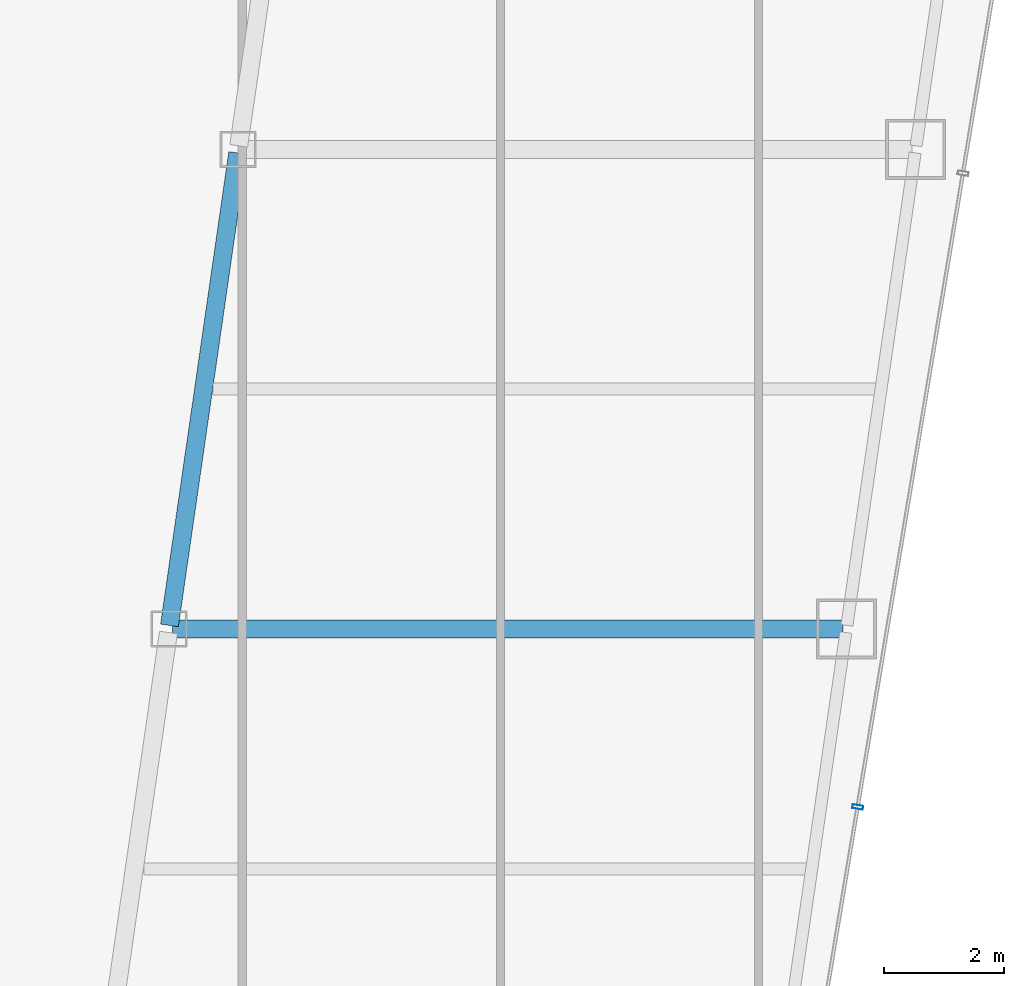
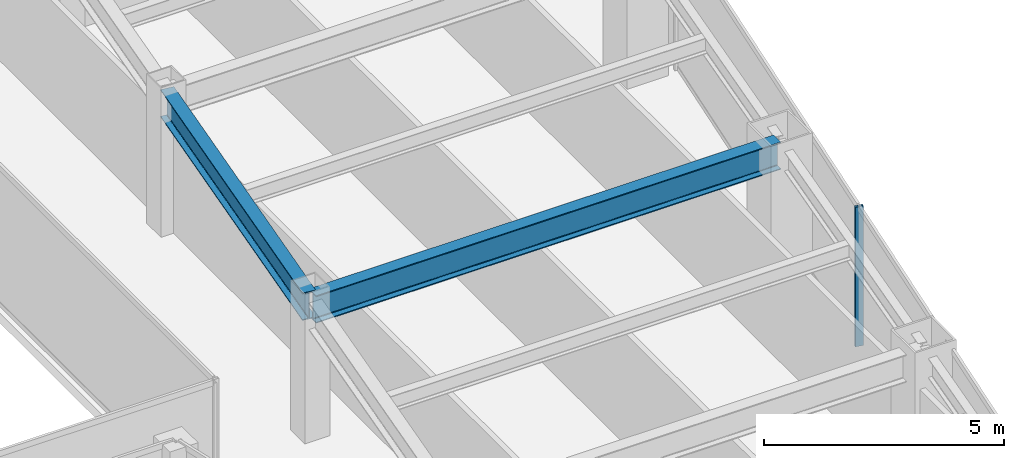
# One storey, part 16 of 37: 2 beams, 1 member, 1 element without a shape of its own.
"""IFC4 building model written with IfcOpenShell, lengths in metres."""

from ifc_helpers import new_model, si_unit, direction, frame, origin, origin_2d, place, context, subcontext, project, spatial, hollow_rectangle, i_section, extrude, material, material_profile, profile_set, type_object, element, aggregate, save


model = new_model("IFC4")

# Units and contexts
model_context = context("Model", 3, precision=1e-05, world=origin(), true_north=direction((0.0, 1.0)))
body_context = subcontext(model_context, "Body", "Model", "MODEL_VIEW")
ifc_project = project(units=[si_unit("LENGTHUNIT", "METRE"), si_unit("AREAUNIT", "SQUARE_METRE"), si_unit("VOLUMEUNIT", "CUBIC_METRE"), si_unit("PLANEANGLEUNIT", "RADIAN"), si_unit("MASSUNIT", "GRAM", prefix="KILO")], contexts=[model_context])

# Site, building, storey
site_placement = place(None, origin())
site = spatial("IfcSite", under=ifc_project, at=site_placement, CompositionType="ELEMENT")
building_placement = place(site_placement, origin())
building = spatial("IfcBuilding", under=site, at=building_placement, Name="Saevonmaru Cultural Tower", CompositionType="ELEMENT")
storey_placement = place(building_placement, frame((0.0, 0.0, 141.0)))
storey = spatial("IfcBuildingStorey", under=building, at=storey_placement, Name="L30", CompositionType="ELEMENT", Elevation=141.0)

# Beams
ifc_material_1 = material(Name="Steel SM355", Category="steel")
ifc_material_profile_1 = material_profile(ifc_material_1, i_section(OverallWidth=0.300048828125, OverallDepth=0.699951171875, WebThickness=0.012939453125, FlangeThickness=0.02392578125, FilletRadius=0.02587890625, at=origin_2d()), Name="H-700x300x13x24")
ifc_profile_set_1 = profile_set([ifc_material_profile_1], Name="Steel SM355")
beam_type = type_object("IfcBeamType", Name="BM-G-H700", PredefinedType="BEAM", material=ifc_profile_set_1)
beam_1_placement = place(storey_placement, frame((39.236572265625, 24.059326171875, 3.199951171875), z_axis=(0.142902032203, 0.989736838353, 0.0), x_axis=(-0.989736838353, 0.142902032203, 0.0)))
element("IfcBeam", 1, at=beam_1_placement, inside=storey, type_object=beam_type, Name="L30 East Atrium Girder 3", PredefinedType="BEAM", context=body_context, shape_type="SweptSolid", body=[
    extrude(i_section(OverallWidth=0.300048828125, OverallDepth=0.699951171875, WebThickness=0.012939453125, FlangeThickness=0.02392578125, FilletRadius=0.02587890625, at=origin_2d()), origin(), (0.0, 0.0, 1.0), 7.963134765625),
])
beam_2_placement = place(storey_placement, frame((39.2880859375, 24.0, 3.199951171875), z_axis=(1.0, 0.0, 0.0), x_axis=(0.0, 1.0, 0.0)))
element("IfcBeam", 2, at=beam_2_placement, inside=storey, type_object=beam_type, Name="L30 East Wing Transverse Girder 3", PredefinedType="BEAM", context=body_context, shape_type="SweptSolid", body=[
    extrude(i_section(OverallWidth=0.300048828125, OverallDepth=0.699951171875, WebThickness=0.012939453125, FlangeThickness=0.02392578125, FilletRadius=0.02587890625, at=origin_2d()), origin(), (0.0, 0.0, 1.0), 11.179931640625),
])

# Curtain wall, member
ifc_material_2 = material(Name="Satin Bronze Anodised Aluminium", Category="aluminium")
curtain_wall_type = type_object("IfcCurtainWallType", Name="CW-TYP-A", PredefinedType="NOTDEFINED", material=ifc_material_2)
curtain_wall_placement = place(storey_placement, origin())
curtain_wall = element("IfcCurtainWall", 3, at=curtain_wall_placement, inside=storey, type_object=curtain_wall_type, Name="L30 Unitised Curtain Wall E8", PredefinedType="NOTDEFINED")
ifc_material_profile_2 = material_profile(ifc_material_2, hollow_rectangle(XDim=0.06494140625, YDim=0.179931640625, WallThickness=0.00390625, at=origin_2d()), Name="ALU-MULL-180x65x4")
ifc_profile_set_2 = profile_set([ifc_material_profile_2], Name="Satin Bronze Anodised Aluminium")
member_type = type_object("IfcMemberType", Name="ML-CW-180x65", PredefinedType="MULLION", material=ifc_profile_set_2)
member_placement = place(storey_placement, frame((50.71826171875, 21.029541015625, 0.0), z_axis=(0.0, 0.0, 1.0), x_axis=(0.163998702345, 0.986460554523, 0.0)))
member = element("IfcMember", 4, at=member_placement, type_object=member_type, Name="CW-TW-L30-E8 mullion 2", PredefinedType="MULLION", context=body_context, shape_type="SweptSolid", body=[
    extrude(hollow_rectangle(XDim=0.06494140625, YDim=0.179931640625, WallThickness=0.00390625, at=origin_2d()), origin(), (0.0, 0.0, 1.0), 3.550048828125),
])
aggregate(curtain_wall, [member])

save(model, "model.ifc")
